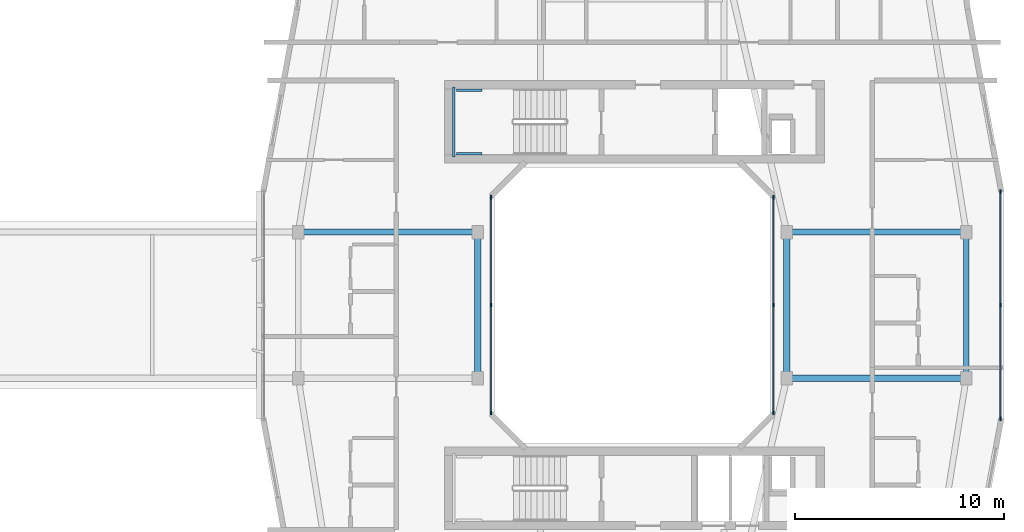
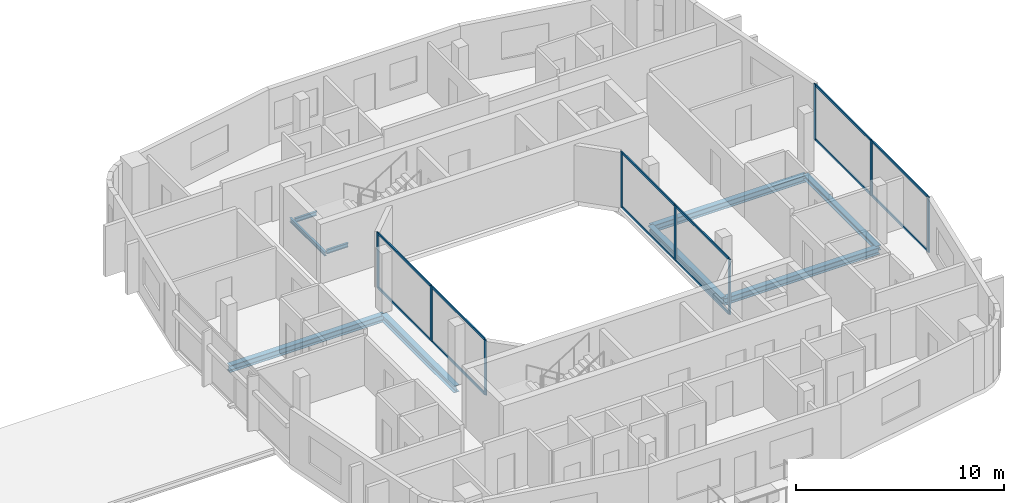
# One storey, part 6 of 22: 21 members, 9 beams, 3 elements without a shape of their own.
"""IFC4 building model written with IfcOpenShell, lengths in metres."""

from ifc_helpers import new_model, si_unit, derived_unit, direction, frame, origin, origin_2d, place, context, subcontext, project, spatial, rectangle, i_section, extrude, material, layer, layer_set, material_profile, profile_set, type_object, element, aggregate, save


model = new_model("IFC4")

# Units and contexts
model_context = context("Model", 3, precision=1e-05, world=origin(), true_north=direction((0.0, 1.0)))
body_context = subcontext(model_context, "Body", "Model", "MODEL_VIEW")
ifc_project = project(units=[si_unit("LENGTHUNIT", "METRE"), si_unit("AREAUNIT", "SQUARE_METRE"), si_unit("VOLUMEUNIT", "CUBIC_METRE"), si_unit("PLANEANGLEUNIT", "RADIAN"), si_unit("MASSUNIT", "GRAM", prefix="KILO"), derived_unit("THERMALTRANSMITTANCEUNIT", [(si_unit("POWERUNIT", "WATT"), 1), (si_unit("LENGTHUNIT", "METRE"), -2), (si_unit("THERMODYNAMICTEMPERATUREUNIT", "KELVIN"), -1)])], contexts=[model_context])

# Site, building, storey
site_placement = place(None, origin())
site = spatial("IfcSite", under=ifc_project, at=site_placement, CompositionType="ELEMENT")
building_placement = place(site_placement, origin())
building = spatial("IfcBuilding", under=site, at=building_placement, Name="Kivonza Crest Hotel", CompositionType="ELEMENT")
storey_placement = place(building_placement, frame((0.0, 0.0, 124.0)))
storey = spatial("IfcBuildingStorey", under=building, at=storey_placement, Name="L33", CompositionType="ELEMENT", Elevation=124.0)

# Beams
ifc_material_1 = material(Name="Steel S355", Category="steel")
ifc_material_profile_1 = material_profile(ifc_material_1, i_section(OverallWidth=0.280029296875, OverallDepth=0.280029296875, WebThickness=0.010498046875, FlangeThickness=0.01806640625, FilletRadius=0.02392578125, at=origin_2d()), Name="HEB 280")
ifc_profile_set_1 = profile_set([ifc_material_profile_1], Name="Steel S355")
beam_type_1 = type_object("IfcBeamType", Name="BM-HEB280", PredefinedType="SPANDREL", material=ifc_profile_set_1)
beam_1_placement = place(storey_placement, frame((93.0, 21.5, -0.389892578125), z_axis=(0.0, 1.0, 0.0), x_axis=(-1.0, 0.0, 0.0)))
element("IfcBeam", 1, at=beam_1_placement, inside=storey, type_object=beam_type_1, Name="Companion Tower T2 L33 perimeter spandrel E1-E2", PredefinedType="SPANDREL", context=body_context, shape_type="SweptSolid", body=[
    extrude(i_section(OverallWidth=0.280029296875, OverallDepth=0.280029296875, WebThickness=0.010498046875, FlangeThickness=0.01806640625, FilletRadius=0.02392578125, at=origin_2d()), origin(), (0.0, 0.0, 1.0), 7.0),
])
ifc_material_profile_2 = material_profile(ifc_material_1, i_section(OverallWidth=0.300048828125, OverallDepth=0.39990234375, WebThickness=0.013427734375, FlangeThickness=0.02392578125, FilletRadius=0.027099609375, at=origin_2d()), Name="HEB 400")
ifc_profile_set_2 = profile_set([ifc_material_profile_2], Name="Steel S355")
beam_type_2 = type_object("IfcBeamType", Name="BM-HEB400", PredefinedType="BEAM", material=ifc_profile_set_2)
beam_2_placement = place(storey_placement, frame((61.0, 28.5, -0.449951171875), z_axis=(1.0, 0.0, 0.0), x_axis=(0.0, 1.0, 0.0)))
element("IfcBeam", 2, at=beam_2_placement, inside=storey, type_object=beam_type_2, Name="Companion Tower T2 L33 girder W2-WL2", PredefinedType="BEAM", context=body_context, shape_type="SweptSolid", body=[
    extrude(i_section(OverallWidth=0.300048828125, OverallDepth=0.39990234375, WebThickness=0.013427734375, FlangeThickness=0.02392578125, FilletRadius=0.027099609375, at=origin_2d()), origin(), (0.0, 0.0, 1.0), 8.60009765625),
])
beam_3_placement = place(storey_placement, frame((69.60009765625, 21.5, -0.449951171875), z_axis=(0.0, 1.0, 0.0), x_axis=(-1.0, 0.0, 0.0)))
element("IfcBeam", 3, at=beam_3_placement, inside=storey, type_object=beam_type_2, Name="Companion Tower T2 L33 girder WL1-WL2", PredefinedType="BEAM", context=body_context, shape_type="SweptSolid", body=[
    extrude(i_section(OverallWidth=0.300048828125, OverallDepth=0.39990234375, WebThickness=0.013427734375, FlangeThickness=0.02392578125, FilletRadius=0.027099609375, at=origin_2d()), origin(), (0.0, 0.0, 1.0), 7.0),
])
for number, where, z_axis, x_axis, name in (
    (4, (84.39990234375, 21.5, -0.449951171875), (1.0, 0.0, 0.0), (0.0, 1.0, 0.0), "Companion Tower T2 L33 girder WR1-E1"),
    (5, (84.39990234375, 28.5, -0.449951171875), (1.0, 0.0, 0.0), (0.0, 1.0, 0.0), "Companion Tower T2 L33 girder WR2-E2"),
):
    element("IfcBeam", number, at=place(storey_placement, frame(where, z_axis=z_axis, x_axis=x_axis)), inside=storey, type_object=beam_type_2, Name=name, PredefinedType="BEAM", context=body_context, shape_type="SweptSolid", body=[
        extrude(i_section(OverallWidth=0.300048828125, OverallDepth=0.39990234375, WebThickness=0.013427734375, FlangeThickness=0.02392578125, FilletRadius=0.027099609375, at=origin_2d()), origin(), (0.0, 0.0, 1.0), 8.60009765625),
    ])
beam_4_placement = place(storey_placement, frame((84.39990234375, 21.5, -0.449951171875), z_axis=(0.0, 1.0, 0.0), x_axis=(-1.0, 0.0, 0.0)))
element("IfcBeam", 6, at=beam_4_placement, inside=storey, type_object=beam_type_2, Name="Companion Tower T2 L33 girder WR1-WR2", PredefinedType="BEAM", context=body_context, shape_type="SweptSolid", body=[
    extrude(i_section(OverallWidth=0.300048828125, OverallDepth=0.39990234375, WebThickness=0.013427734375, FlangeThickness=0.02392578125, FilletRadius=0.027099609375, at=origin_2d()), origin(), (0.0, 0.0, 1.0), 7.0),
])
ifc_material_profile_3 = material_profile(ifc_material_1, i_section(OverallWidth=0.1201171875, OverallDepth=0.239990234375, WebThickness=0.006103515625, FlangeThickness=0.009765625, FilletRadius=0.014892578125, at=origin_2d()), Name="IPE 240")
ifc_profile_set_3 = profile_set([ifc_material_profile_3], Name="Steel S355")
beam_type_3 = type_object("IfcBeamType", Name="BM-LLDG-240", PredefinedType="BEAM", material=ifc_profile_set_3)
beam_5_placement = place(storey_placement, frame((68.4599609375, 32.10009765625, 1.429931640625), z_axis=(0.0, 1.0, 0.0), x_axis=(-1.0, 0.0, 0.0)))
element("IfcBeam", 7, at=beam_5_placement, inside=storey, type_object=beam_type_3, Name="Stair ST-T2-N L33 West landing corbel", PredefinedType="BEAM", context=body_context, shape_type="SweptSolid", body=[
    extrude(i_section(OverallWidth=0.1201171875, OverallDepth=0.239990234375, WebThickness=0.006103515625, FlangeThickness=0.009765625, FilletRadius=0.014892578125, at=origin_2d()), origin(), (0.0, 0.0, 1.0), 3.35986328125),
])
for number, where, z_axis, x_axis, name in (
    (8, (68.590087890625, 32.260009765625, 1.429931640625), (1.0, 0.0, 0.0), (0.0, 1.0, 0.0), "Stair ST-T2-N L33 South landing corbel"),
    (9, (68.590087890625, 35.300048828125, 1.429931640625), (1.0, 0.0, 0.0), (0.0, 1.0, 0.0), "Stair ST-T2-N L33 North landing corbel"),
):
    element("IfcBeam", number, at=place(storey_placement, frame(where, z_axis=z_axis, x_axis=x_axis)), inside=storey, type_object=beam_type_3, Name=name, PredefinedType="BEAM", context=body_context, shape_type="SweptSolid", body=[
        extrude(i_section(OverallWidth=0.1201171875, OverallDepth=0.239990234375, WebThickness=0.006103515625, FlangeThickness=0.009765625, FilletRadius=0.014892578125, at=origin_2d()), origin(), (0.0, 0.0, 1.0), 1.2099609375),
    ])

# Curtain wall, members
ifc_material_2 = material(Name="Anodised bronze aluminium and low-E double glazing", Category="aluminium")
ifc_layer_1 = layer(ifc_material_2, 0.179931640625)
ifc_layer_set_1 = layer_set([ifc_layer_1], Name="Anodised bronze aluminium and low-E double glazing")
curtain_wall_type_1 = type_object("IfcCurtainWallType", Name="CW-SYS-4", PredefinedType="NOTDEFINED", material=ifc_layer_set_1)
curtain_wall_1_placement = place(storey_placement, origin())
curtain_wall_1 = element("IfcCurtainWall", 10, at=curtain_wall_1_placement, inside=storey, type_object=curtain_wall_type_1, Name="L33 unitised curtain wall CW-T2-L33-17", PredefinedType="NOTDEFINED")
ifc_material_3 = material(Name="Anodised bronze aluminium", Category="aluminium")
ifc_material_profile_4 = material_profile(ifc_material_3, rectangle(XDim=0.06494140625, YDim=0.179931640625, at=origin_2d()), Name="CW-M 65x180")
ifc_profile_set_4 = profile_set([ifc_material_profile_4], Name="Anodised bronze aluminium")
member_type_1 = type_object("IfcMemberType", Name="CW-MUL-65x180", PredefinedType="MULLION", material=ifc_profile_set_4)
member_1_placement = place(storey_placement, frame((94.639892578125, 19.552490234375, 0.0), z_axis=(0.0, 0.0, 1.0), x_axis=(-1.0, 0.0, 0.0)))
member_1 = element("IfcMember", 11, at=member_1_placement, type_object=member_type_1, Name="CW-4 mullion 1", PredefinedType="MULLION", context=body_context, shape_type="SweptSolid", body=[
    extrude(rectangle(XDim=0.06494140625, YDim=0.179931640625, at=origin_2d()), origin(), (0.0, 0.0, 1.0), 3.25),
])
member_2_placement = place(storey_placement, frame((94.639892578125, 25.0, 0.0), z_axis=(0.0, 0.0, 1.0), x_axis=(-1.0, 0.0, 0.0)))
member_2 = element("IfcMember", 12, at=member_2_placement, type_object=member_type_1, Name="CW-4 mullion 2", PredefinedType="MULLION", context=body_context, shape_type="SweptSolid", body=[
    extrude(rectangle(XDim=0.06494140625, YDim=0.179931640625, at=origin_2d()), origin(), (0.0, 0.0, 1.0), 3.25),
])
member_3_placement = place(storey_placement, frame((94.639892578125, 30.447509765625, 0.0), z_axis=(0.0, 0.0, 1.0), x_axis=(-1.0, 0.0, 0.0)))
member_3 = element("IfcMember", 13, at=member_3_placement, type_object=member_type_1, Name="CW-4 mullion 3", PredefinedType="MULLION", context=body_context, shape_type="SweptSolid", body=[
    extrude(rectangle(XDim=0.06494140625, YDim=0.179931640625, at=origin_2d()), origin(), (0.0, 0.0, 1.0), 3.25),
])

ifc_layer_2 = layer(ifc_material_2, 0.159912109375)
ifc_layer_set_2 = layer_set([ifc_layer_2], Name="Anodised bronze aluminium and low-E double glazing")
curtain_wall_type_2 = type_object("IfcCurtainWallType", Name="CW-SYS-5", PredefinedType="NOTDEFINED", material=ifc_layer_set_2)
curtain_wall_2_placement = place(storey_placement, origin())
curtain_wall_2 = element("IfcCurtainWall", 14, at=curtain_wall_2_placement, inside=storey, type_object=curtain_wall_type_2, Name="L33 unitised curtain wall CW-WELL-T2-L33-3", PredefinedType="NOTDEFINED")
member_4_placement = place(storey_placement, frame((83.760009765625, 19.83251953125, 0.0), z_axis=(0.0, 0.0, 1.0), x_axis=(-1.0, 0.0, 0.0)))
member_4 = element("IfcMember", 15, at=member_4_placement, type_object=member_type_1, Name="CW-5 mullion 1", PredefinedType="MULLION", context=body_context, shape_type="SweptSolid", body=[
    extrude(rectangle(XDim=0.06494140625, YDim=0.179931640625, at=origin_2d()), origin(), (0.0, 0.0, 1.0), 3.25),
])
member_5_placement = place(storey_placement, frame((83.760009765625, 25.0, 0.0), z_axis=(0.0, 0.0, 1.0), x_axis=(-1.0, 0.0, 0.0)))
member_5 = element("IfcMember", 16, at=member_5_placement, type_object=member_type_1, Name="CW-5 mullion 2", PredefinedType="MULLION", context=body_context, shape_type="SweptSolid", body=[
    extrude(rectangle(XDim=0.06494140625, YDim=0.179931640625, at=origin_2d()), origin(), (0.0, 0.0, 1.0), 3.25),
])
member_6_placement = place(storey_placement, frame((83.760009765625, 30.16748046875, 0.0), z_axis=(0.0, 0.0, 1.0), x_axis=(-1.0, 0.0, 0.0)))
member_6 = element("IfcMember", 17, at=member_6_placement, type_object=member_type_1, Name="CW-5 mullion 3", PredefinedType="MULLION", context=body_context, shape_type="SweptSolid", body=[
    extrude(rectangle(XDim=0.06494140625, YDim=0.179931640625, at=origin_2d()), origin(), (0.0, 0.0, 1.0), 3.25),
])

curtain_wall_3_placement = place(storey_placement, origin())
curtain_wall_3 = element("IfcCurtainWall", 18, at=curtain_wall_3_placement, inside=storey, type_object=curtain_wall_type_2, Name="L33 unitised curtain wall CW-WELL-T2-L33-7", PredefinedType="NOTDEFINED")
member_7_placement = place(storey_placement, frame((70.239990234375, 30.16748046875, 0.0), z_axis=(0.0, 0.0, 1.0), x_axis=(1.0, 0.0, 0.0)))
member_7 = element("IfcMember", 19, at=member_7_placement, type_object=member_type_1, Name="CW-5 mullion 1", PredefinedType="MULLION", context=body_context, shape_type="SweptSolid", body=[
    extrude(rectangle(XDim=0.06494140625, YDim=0.179931640625, at=origin_2d()), origin(), (0.0, 0.0, 1.0), 3.25),
])
member_8_placement = place(storey_placement, frame((70.239990234375, 25.0, 0.0), z_axis=(0.0, 0.0, 1.0), x_axis=(1.0, 0.0, 0.0)))
member_8 = element("IfcMember", 20, at=member_8_placement, type_object=member_type_1, Name="CW-5 mullion 2", PredefinedType="MULLION", context=body_context, shape_type="SweptSolid", body=[
    extrude(rectangle(XDim=0.06494140625, YDim=0.179931640625, at=origin_2d()), origin(), (0.0, 0.0, 1.0), 3.25),
])
member_9_placement = place(storey_placement, frame((70.239990234375, 19.83251953125, 0.0), z_axis=(0.0, 0.0, 1.0), x_axis=(1.0, 0.0, 0.0)))
member_9 = element("IfcMember", 21, at=member_9_placement, type_object=member_type_1, Name="CW-5 mullion 3", PredefinedType="MULLION", context=body_context, shape_type="SweptSolid", body=[
    extrude(rectangle(XDim=0.06494140625, YDim=0.179931640625, at=origin_2d()), origin(), (0.0, 0.0, 1.0), 3.25),
])

# Member
ifc_material_profile_5 = material_profile(ifc_material_3, rectangle(XDim=0.06494140625, YDim=0.139892578125, at=origin_2d()), Name="CW-T 65x140")
ifc_profile_set_5 = profile_set([ifc_material_profile_5], Name="Anodised bronze aluminium")
member_type_2 = type_object("IfcMemberType", Name="CW-TRN-65x140", PredefinedType="USERDEFINED", material=ifc_profile_set_5)
member_10_placement = place(storey_placement, frame((94.639892578125, 19.5849609375, 0.032470703125), z_axis=(0.0, 1.0, 0.0), x_axis=(-1.0, 0.0, 0.0)))
member_10 = element("IfcMember", 22, at=member_10_placement, type_object=member_type_2, Name="CW-4 transom 1.1", ObjectType="TRANSOM", PredefinedType="USERDEFINED", context=body_context, shape_type="SweptSolid", body=[
    extrude(rectangle(XDim=0.06494140625, YDim=0.139892578125, at=origin_2d()), origin(), (0.0, 0.0, 1.0), 5.382568359375),
])

member_11_placement = place(storey_placement, frame((94.639892578125, 19.5849609375, 3.217529296875), z_axis=(0.0, 1.0, 0.0), x_axis=(-1.0, 0.0, 0.0)))
member_11 = element("IfcMember", 23, at=member_11_placement, type_object=member_type_2, Name="CW-4 transom 1.2", ObjectType="TRANSOM", PredefinedType="USERDEFINED", context=body_context, shape_type="SweptSolid", body=[
    extrude(rectangle(XDim=0.06494140625, YDim=0.139892578125, at=origin_2d()), origin(), (0.0, 0.0, 1.0), 5.382568359375),
])

member_12_placement = place(storey_placement, frame((94.639892578125, 25.032470703125, 0.032470703125), z_axis=(0.0, 1.0, 0.0), x_axis=(-1.0, 0.0, 0.0)))
member_12 = element("IfcMember", 24, at=member_12_placement, type_object=member_type_2, Name="CW-4 transom 2.1", ObjectType="TRANSOM", PredefinedType="USERDEFINED", context=body_context, shape_type="SweptSolid", body=[
    extrude(rectangle(XDim=0.06494140625, YDim=0.139892578125, at=origin_2d()), origin(), (0.0, 0.0, 1.0), 5.382568359375),
])

member_13_placement = place(storey_placement, frame((94.639892578125, 25.032470703125, 3.217529296875), z_axis=(0.0, 1.0, 0.0), x_axis=(-1.0, 0.0, 0.0)))
member_13 = element("IfcMember", 25, at=member_13_placement, type_object=member_type_2, Name="CW-4 transom 2.2", ObjectType="TRANSOM", PredefinedType="USERDEFINED", context=body_context, shape_type="SweptSolid", body=[
    extrude(rectangle(XDim=0.06494140625, YDim=0.139892578125, at=origin_2d()), origin(), (0.0, 0.0, 1.0), 5.382568359375),
])

aggregate(curtain_wall_1, [member_1, member_2, member_3, member_10, member_11, member_12, member_13])

member_14_placement = place(storey_placement, frame((83.760009765625, 19.864990234375, 0.032470703125), z_axis=(0.0, 1.0, 0.0), x_axis=(-1.0, 0.0, 0.0)))
member_14 = element("IfcMember", 26, at=member_14_placement, type_object=member_type_2, Name="CW-5 transom 1.1", ObjectType="TRANSOM", PredefinedType="USERDEFINED", context=body_context, shape_type="SweptSolid", body=[
    extrude(rectangle(XDim=0.06494140625, YDim=0.139892578125, at=origin_2d()), origin(), (0.0, 0.0, 1.0), 5.1025390625),
])

member_15_placement = place(storey_placement, frame((83.760009765625, 19.864990234375, 3.217529296875), z_axis=(0.0, 1.0, 0.0), x_axis=(-1.0, 0.0, 0.0)))
member_15 = element("IfcMember", 27, at=member_15_placement, type_object=member_type_2, Name="CW-5 transom 1.2", ObjectType="TRANSOM", PredefinedType="USERDEFINED", context=body_context, shape_type="SweptSolid", body=[
    extrude(rectangle(XDim=0.06494140625, YDim=0.139892578125, at=origin_2d()), origin(), (0.0, 0.0, 1.0), 5.1025390625),
])

member_16_placement = place(storey_placement, frame((83.760009765625, 25.032470703125, 0.032470703125), z_axis=(0.0, 1.0, 0.0), x_axis=(-1.0, 0.0, 0.0)))
member_16 = element("IfcMember", 28, at=member_16_placement, type_object=member_type_2, Name="CW-5 transom 2.1", ObjectType="TRANSOM", PredefinedType="USERDEFINED", context=body_context, shape_type="SweptSolid", body=[
    extrude(rectangle(XDim=0.06494140625, YDim=0.139892578125, at=origin_2d()), origin(), (0.0, 0.0, 1.0), 5.1025390625),
])

member_17_placement = place(storey_placement, frame((83.760009765625, 25.032470703125, 3.217529296875), z_axis=(0.0, 1.0, 0.0), x_axis=(-1.0, 0.0, 0.0)))
member_17 = element("IfcMember", 29, at=member_17_placement, type_object=member_type_2, Name="CW-5 transom 2.2", ObjectType="TRANSOM", PredefinedType="USERDEFINED", context=body_context, shape_type="SweptSolid", body=[
    extrude(rectangle(XDim=0.06494140625, YDim=0.139892578125, at=origin_2d()), origin(), (0.0, 0.0, 1.0), 5.1025390625),
])

aggregate(curtain_wall_2, [member_4, member_5, member_6, member_14, member_15, member_16, member_17])

member_18_placement = place(storey_placement, frame((70.239990234375, 30.135009765625, 0.032470703125), z_axis=(0.0, -1.0, 0.0), x_axis=(1.0, 0.0, 0.0)))
member_18 = element("IfcMember", 30, at=member_18_placement, type_object=member_type_2, Name="CW-5 transom 1.1", ObjectType="TRANSOM", PredefinedType="USERDEFINED", context=body_context, shape_type="SweptSolid", body=[
    extrude(rectangle(XDim=0.06494140625, YDim=0.139892578125, at=origin_2d()), origin(), (0.0, 0.0, 1.0), 5.1025390625),
])

member_19_placement = place(storey_placement, frame((70.239990234375, 30.135009765625, 3.217529296875), z_axis=(0.0, -1.0, 0.0), x_axis=(1.0, 0.0, 0.0)))
member_19 = element("IfcMember", 31, at=member_19_placement, type_object=member_type_2, Name="CW-5 transom 1.2", ObjectType="TRANSOM", PredefinedType="USERDEFINED", context=body_context, shape_type="SweptSolid", body=[
    extrude(rectangle(XDim=0.06494140625, YDim=0.139892578125, at=origin_2d()), origin(), (0.0, 0.0, 1.0), 5.1025390625),
])

member_20_placement = place(storey_placement, frame((70.239990234375, 24.967529296875, 0.032470703125), z_axis=(0.0, -1.0, 0.0), x_axis=(1.0, 0.0, 0.0)))
member_20 = element("IfcMember", 32, at=member_20_placement, type_object=member_type_2, Name="CW-5 transom 2.1", ObjectType="TRANSOM", PredefinedType="USERDEFINED", context=body_context, shape_type="SweptSolid", body=[
    extrude(rectangle(XDim=0.06494140625, YDim=0.139892578125, at=origin_2d()), origin(), (0.0, 0.0, 1.0), 5.1025390625),
])

member_21_placement = place(storey_placement, frame((70.239990234375, 24.967529296875, 3.217529296875), z_axis=(0.0, -1.0, 0.0), x_axis=(1.0, 0.0, 0.0)))
member_21 = element("IfcMember", 33, at=member_21_placement, type_object=member_type_2, Name="CW-5 transom 2.2", ObjectType="TRANSOM", PredefinedType="USERDEFINED", context=body_context, shape_type="SweptSolid", body=[
    extrude(rectangle(XDim=0.06494140625, YDim=0.139892578125, at=origin_2d()), origin(), (0.0, 0.0, 1.0), 5.1025390625),
])

aggregate(curtain_wall_3, [member_7, member_8, member_9, member_18, member_19, member_20, member_21])

save(model, "model.ifc")
